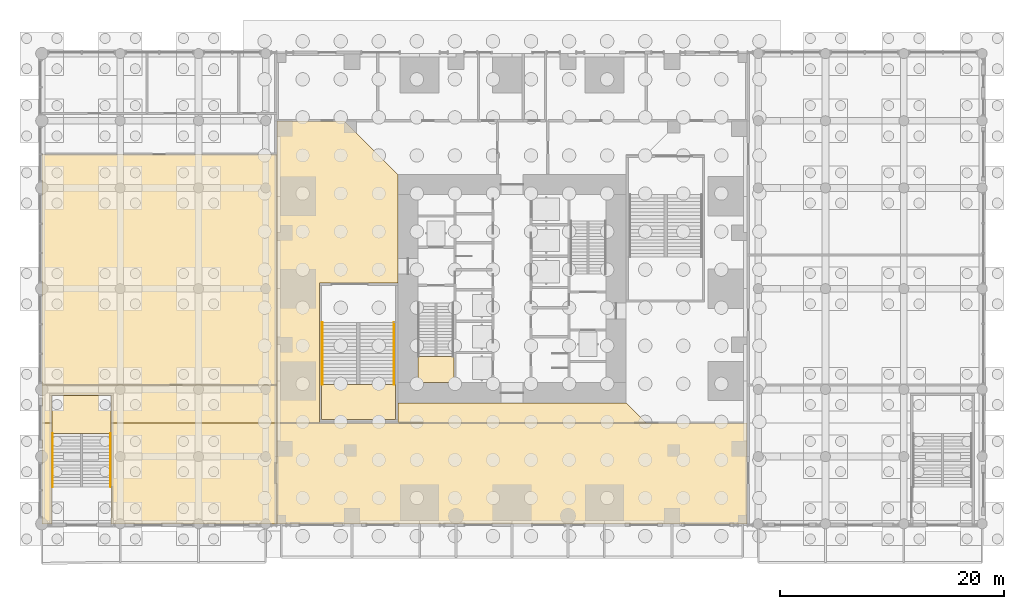
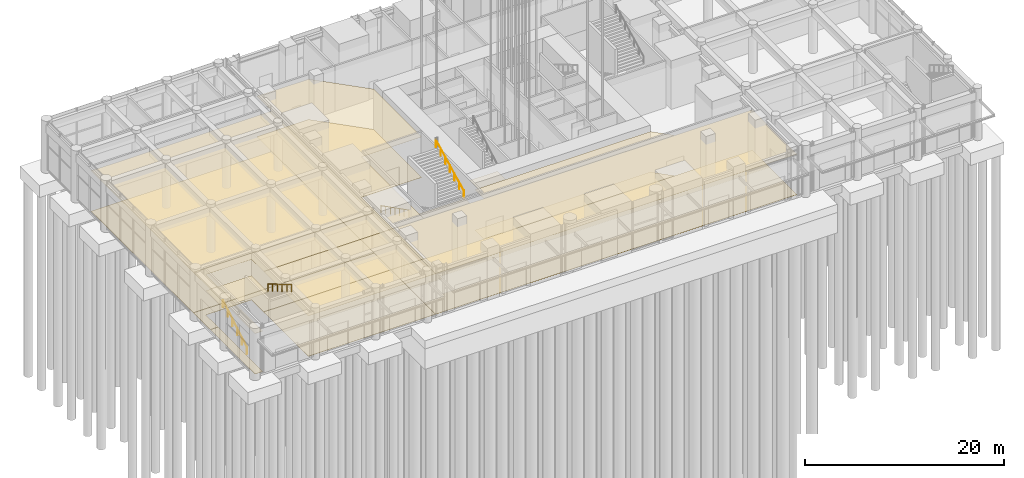
# One storey, part 43 of 46: 17 coverings, 4 railings.
"""IFC4 building model written with IfcOpenShell, lengths in metres."""

from ifc_helpers import new_model, si_unit, direction, frame, origin, origin_2d, place, context, subcontext, project, spatial, polyline, circle, outline, extrude, material, layer, layer_set, type_object, element, save


model = new_model("IFC4")

# Units and contexts
model_context = context("Model", 3, precision=1e-05, world=origin(), true_north=direction((0.0, 1.0)))
body_context = subcontext(model_context, "Body", "Model", "MODEL_VIEW")
ifc_project = project(units=[si_unit("LENGTHUNIT", "METRE"), si_unit("AREAUNIT", "SQUARE_METRE"), si_unit("VOLUMEUNIT", "CUBIC_METRE"), si_unit("PLANEANGLEUNIT", "RADIAN"), si_unit("MASSUNIT", "GRAM", prefix="KILO")], contexts=[model_context])

# Site, building, storey
site_placement = place(None, origin())
site = spatial("IfcSite", under=ifc_project, at=site_placement, CompositionType="ELEMENT")
building_placement = place(site_placement, origin())
building = spatial("IfcBuilding", under=site, at=building_placement, Name="Svetlomir Tower", CompositionType="ELEMENT")
storey_placement = place(building_placement, origin())
storey = spatial("IfcBuildingStorey", under=building, at=storey_placement, Name="L00", CompositionType="ELEMENT", Elevation=0.0)

# Railings
ifc_material_1 = material(Name="Stainless steel", Category="steel")
railing_type = type_object("IfcRailingType", Name="HANDRAIL HR1 900", PredefinedType="HANDRAIL", material=ifc_material_1)
railing_1_placement = place(storey_placement, frame((4.050048828125, 18.0, 0.157958984375)))
element("IfcRailing", 1, at=railing_1_placement, inside=storey, type_object=railing_type, Name="Handrail P1 flight 1 L00", PredefinedType="HANDRAIL", context=body_context, shape_type="SweptSolid", body=[
    extrude(circle(Radius=0.02392578125, at=origin_2d()), frame((0.0, 0.0, 0.8759765625), z_axis=(0.0, -0.891080849075, 0.453844599408), x_axis=(1.0, 0.0, 0.0)), (0.0, 0.0, 1.0), 6.26220703125),
    extrude(circle(Radius=0.02099609375, at=origin_2d()), origin(), (0.0, 0.0, 1.0), 0.851806640625),
    extrude(circle(Radius=0.02099609375, at=origin_2d()), frame((0.0, -0.929931640625, 0.4736328125)), (0.0, 0.0, 1.0), 0.851806640625),
    extrude(circle(Radius=0.02099609375, at=origin_2d()), frame((0.0, -1.860107421875, 0.947265625)), (0.0, 0.0, 1.0), 0.851806640625),
    extrude(circle(Radius=0.02099609375, at=origin_2d()), frame((0.0, -2.7900390625, 1.4208984375)), (0.0, 0.0, 1.0), 0.851806640625),
    extrude(circle(Radius=0.02099609375, at=origin_2d()), frame((0.0, -3.719970703125, 1.894775390625)), (0.0, 0.0, 1.0), 0.851806640625),
    extrude(circle(Radius=0.02099609375, at=origin_2d()), frame((0.0, -4.650146484375, 2.368408203125)), (0.0, 0.0, 1.0), 0.851806640625),
    extrude(circle(Radius=0.02099609375, at=origin_2d()), frame((0.0, -5.580078125, 2.842041015625)), (0.0, 0.0, 1.0), 0.851806640625),
])
railing_2_placement = place(storey_placement, frame((10.449951171875, 12.419921875, 3.157958984375)))
element("IfcRailing", 2, at=railing_2_placement, inside=storey, type_object=railing_type, Name="Handrail P1 flight 2 L00", PredefinedType="HANDRAIL", context=body_context, shape_type="SweptSolid", body=[
    extrude(circle(Radius=0.02392578125, at=origin_2d()), frame((0.0, 0.0, 0.8759765625), z_axis=(0.0, 0.891080849075, 0.453844599408), x_axis=(-1.0, 0.0, 0.0)), (0.0, 0.0, 1.0), 6.26220703125),
    extrude(circle(Radius=0.02099609375, at=origin_2d()), origin(), (0.0, 0.0, 1.0), 0.851806640625),
    extrude(circle(Radius=0.02099609375, at=origin_2d()), frame((0.0, 0.929931640625, 0.4736328125)), (0.0, 0.0, 1.0), 0.851806640625),
    extrude(circle(Radius=0.02099609375, at=origin_2d()), frame((0.0, 1.860107421875, 0.947265625)), (0.0, 0.0, 1.0), 0.851806640625),
    extrude(circle(Radius=0.02099609375, at=origin_2d()), frame((0.0, 2.7900390625, 1.4208984375)), (0.0, 0.0, 1.0), 0.851806640625),
    extrude(circle(Radius=0.02099609375, at=origin_2d()), frame((0.0, 3.719970703125, 1.894775390625)), (0.0, 0.0, 1.0), 0.851806640625),
    extrude(circle(Radius=0.02099609375, at=origin_2d()), frame((0.0, 4.650146484375, 2.368408203125)), (0.0, 0.0, 1.0), 0.851806640625),
    extrude(circle(Radius=0.02099609375, at=origin_2d()), frame((0.0, 5.580078125, 2.842041015625)), (0.0, 0.0, 1.0), 0.851806640625),
])
railing_3_placement = place(storey_placement, frame((-20.050048828125, 3.300048828125, 0.166748046875)))
element("IfcRailing", 3, at=railing_3_placement, inside=storey, type_object=railing_type, Name="Handrail P3 flight 1 L00", PredefinedType="HANDRAIL", context=body_context, shape_type="SweptSolid", body=[
    extrude(circle(Radius=0.02392578125, at=origin_2d()), frame((0.0, 0.0, 0.8759765625), z_axis=(0.0, 0.859299802514, 0.511472237174), x_axis=(-1.0, 0.0, 0.0)), (0.0, 0.0, 1.0), 5.539306640625),
    extrude(circle(Radius=0.02099609375, at=origin_2d()), origin(), (0.0, 0.0, 1.0), 0.851806640625),
    extrude(circle(Radius=0.02099609375, at=origin_2d()), frame((0.0, 0.951904296875, 0.566650390625)), (0.0, 0.0, 1.0), 0.851806640625),
    extrude(circle(Radius=0.02099609375, at=origin_2d()), frame((0.0, 1.904052734375, 1.13330078125)), (0.0, 0.0, 1.0), 0.851806640625),
    extrude(circle(Radius=0.02099609375, at=origin_2d()), frame((0.0, 2.85595703125, 1.699951171875)), (0.0, 0.0, 1.0), 0.851806640625),
    extrude(circle(Radius=0.02099609375, at=origin_2d()), frame((0.0, 3.80810546875, 2.2666015625)), (0.0, 0.0, 1.0), 0.851806640625),
    extrude(circle(Radius=0.02099609375, at=origin_2d()), frame((0.0, 4.760009765625, 2.833251953125)), (0.0, 0.0, 1.0), 0.851806640625),
])
railing_4_placement = place(storey_placement, frame((-14.85009765625, 8.06005859375, 3.166748046875)))
element("IfcRailing", 4, at=railing_4_placement, inside=storey, type_object=railing_type, Name="Handrail P3 flight 2 L00", PredefinedType="HANDRAIL", context=body_context, shape_type="SweptSolid", body=[
    extrude(circle(Radius=0.02392578125, at=origin_2d()), frame((0.0, 0.0, 0.8759765625), z_axis=(0.0, -0.859299802514, 0.511472237174), x_axis=(1.0, 0.0, 0.0)), (0.0, 0.0, 1.0), 5.539306640625),
    extrude(circle(Radius=0.02099609375, at=origin_2d()), origin(), (0.0, 0.0, 1.0), 0.851806640625),
    extrude(circle(Radius=0.02099609375, at=origin_2d()), frame((0.0, -0.951904296875, 0.566650390625)), (0.0, 0.0, 1.0), 0.851806640625),
    extrude(circle(Radius=0.02099609375, at=origin_2d()), frame((0.0, -1.904052734375, 1.13330078125)), (0.0, 0.0, 1.0), 0.851806640625),
    extrude(circle(Radius=0.02099609375, at=origin_2d()), frame((0.0, -2.85595703125, 1.699951171875)), (0.0, 0.0, 1.0), 0.851806640625),
    extrude(circle(Radius=0.02099609375, at=origin_2d()), frame((0.0, -3.80810546875, 2.2666015625)), (0.0, 0.0, 1.0), 0.851806640625),
    extrude(circle(Radius=0.02099609375, at=origin_2d()), frame((0.0, -4.760009765625, 2.833251953125)), (0.0, 0.0, 1.0), 0.851806640625),
])

# Coverings
ifc_material_2 = material(Name="Gypsum plasterboard ceiling", Category="gypsum")
ifc_layer_1 = layer(ifc_material_2, 0.014892578125)
ifc_layer_set_1 = layer_set([ifc_layer_1], Name="Gypsum plasterboard ceiling")
covering_type_1 = type_object("IfcCoveringType", Name="PLASTERBOARD CEILING 15", PredefinedType="CEILING", material=ifc_layer_set_1)
covering_1_placement = place(storey_placement, frame((0.0, 0.0, 4.985107421875)))
element("IfcCovering", 5, at=covering_1_placement, inside=storey, type_object=covering_type_1, Name="Ceiling L00-13", PredefinedType="CEILING", context=body_context, shape_type="SweptSolid", body=[
    extrude(outline(polyline([(-21.0, 12.39990234375), (0.0, 12.39990234375), (0.0, 33.0), (-21.0, 33.0), (-21.0, 12.39990234375)])), origin(), (0.0, 0.0, 1.0), 0.014892578125),
])
covering_2_placement = place(storey_placement, frame((0.0, 0.0, 4.985107421875)))
element("IfcCovering", 6, at=covering_2_placement, inside=storey, type_object=covering_type_1, Name="Ceiling L00-31", PredefinedType="CEILING", context=body_context, shape_type="SweptSolid", body=[
    extrude(outline(polyline([(-21.0, 9.0), (-20.10009765625, 9.0), (-20.10009765625, 0.0), (-21.0, 0.0), (-21.0, 9.0)])), origin(), (0.0, 0.0, 1.0), 0.014892578125),
])
covering_3_placement = place(storey_placement, frame((0.0, 0.0, 4.985107421875)))
element("IfcCovering", 7, at=covering_3_placement, inside=storey, type_object=covering_type_1, Name="Ceiling L00-32", PredefinedType="CEILING", context=body_context, shape_type="SweptSolid", body=[
    extrude(outline(polyline([(0.0, 9.0), (42.0, 9.0), (42.0, 0.0), (0.0, 0.0), (0.0, 9.0)])), origin(), (0.0, 0.0, 1.0), 0.014892578125),
])
covering_4_placement = place(storey_placement, frame((0.0, 0.0, 4.985107421875)))
element("IfcCovering", 8, at=covering_4_placement, inside=storey, type_object=covering_type_1, Name="Ceiling L00-34", PredefinedType="CEILING", context=body_context, shape_type="SweptSolid", body=[
    extrude(outline(polyline([(0.0, 0.0), (-14.800048828125, 0.0), (-14.800048828125, 9.0), (0.0, 9.0), (0.0, 0.0)])), origin(), (0.0, 0.0, 1.0), 0.014892578125),
])
covering_5_placement = place(storey_placement, frame((0.0, 0.0, 4.985107421875)))
element("IfcCovering", 9, at=covering_5_placement, inside=storey, type_object=covering_type_1, Name="Ceiling L00-36", PredefinedType="CEILING", context=body_context, shape_type="SweptSolid", body=[
    extrude(outline(polyline([(-21.0, 12.39990234375), (0.0, 12.39990234375), (0.0, 9.0), (-14.800048828125, 9.0), (-14.800048828125, 11.449951171875), (-20.10009765625, 11.449951171875), (-20.10009765625, 9.0), (-21.0, 9.0), (-21.0, 12.39990234375)])), origin(), (0.0, 0.0, 1.0), 0.014892578125),
])
covering_6_placement = place(storey_placement, frame((0.0, 0.0, 4.985107421875)))
element("IfcCovering", 10, at=covering_6_placement, inside=storey, type_object=covering_type_1, Name="Ceiling L00-38", PredefinedType="CEILING", context=body_context, shape_type="SweptSolid", body=[
    extrude(outline(polyline([(0.0, 36.0), (6.0, 36.0), (10.800048828125, 31.199951171875), (10.800048828125, 21.5), (3.800048828125, 21.5), (3.800048828125, 9.0), (0.0, 9.0), (0.0, 36.0)])), origin(), (0.0, 0.0, 1.0), 0.014892578125),
])
covering_7_placement = place(storey_placement, frame((0.0, 0.0, 4.985107421875)))
element("IfcCovering", 11, at=covering_7_placement, inside=storey, type_object=covering_type_1, Name="Ceiling L00-39", PredefinedType="CEILING", context=body_context, shape_type="SweptSolid", body=[
    extrude(outline(polyline([(31.199951171875, 10.800048828125), (33.0, 9.0), (10.800048828125, 9.0), (10.800048828125, 10.800048828125), (31.199951171875, 10.800048828125)])), origin(), (0.0, 0.0, 1.0), 0.014892578125),
])
ifc_material_3 = material(Name="Studded rubber floor finish", Category="rubber")
ifc_layer_2 = layer(ifc_material_3, 0.006103515625)
ifc_layer_set_2 = layer_set([ifc_layer_2], Name="Studded rubber floor finish")
covering_type_2 = type_object("IfcCoveringType", Name="RUBBER LANDING FINISH 6", PredefinedType="FLOORING", material=ifc_layer_set_2)
covering_8_placement = place(storey_placement, frame((0.0, 0.0, 3.0)))
element("IfcCovering", 12, at=covering_8_placement, inside=storey, type_object=covering_type_2, Name="Stair S1 landing finish L00", PredefinedType="FLOORING", context=body_context, shape_type="SweptSolid", body=[
    extrude(outline(polyline([(12.60009765625, 12.60009765625), (15.800048828125, 12.60009765625), (15.800048828125, 14.93994140625), (12.60009765625, 14.93994140625), (12.60009765625, 12.60009765625)])), origin(), (0.0, 0.0, 1.0), 0.006103515625),
])
covering_9_placement = place(storey_placement, frame((0.0, 0.0, 3.0)))
element("IfcCovering", 13, at=covering_9_placement, inside=storey, type_object=covering_type_2, Name="Stair P1 landing finish L00", PredefinedType="FLOORING", context=body_context, shape_type="SweptSolid", body=[
    extrude(outline(polyline([(4.0, 9.300048828125), (10.60009765625, 9.300048828125), (10.60009765625, 12.419921875), (4.0, 12.419921875), (4.0, 9.300048828125)])), origin(), (0.0, 0.0, 1.0), 0.006103515625),
])
covering_10_placement = place(storey_placement, frame((0.0, 0.0, 3.0)))
element("IfcCovering", 14, at=covering_10_placement, inside=storey, type_object=covering_type_2, Name="Stair P3 landing finish L00", PredefinedType="FLOORING", context=body_context, shape_type="SweptSolid", body=[
    extrude(outline(polyline([(-20.10009765625, 8.06005859375), (-14.800048828125, 8.06005859375), (-14.800048828125, 11.449951171875), (-20.10009765625, 11.449951171875), (-20.10009765625, 8.06005859375)])), origin(), (0.0, 0.0, 1.0), 0.006103515625),
])
ifc_material_4 = material(Name="Bronze-aggregate terrazzo", Category="stone")
ifc_layer_3 = layer(ifc_material_4, 0.030029296875)
ifc_layer_set_3 = layer_set([ifc_layer_3], Name="Bronze-aggregate terrazzo")
covering_type_3 = type_object("IfcCoveringType", Name="TERRAZZO FLOOR 30", PredefinedType="FLOORING", material=ifc_layer_set_3)
covering_11_placement = place(storey_placement, origin())
element("IfcCovering", 15, at=covering_11_placement, inside=storey, type_object=covering_type_3, Name="Floor finish L00-13", PredefinedType="FLOORING", context=body_context, shape_type="SweptSolid", body=[
    extrude(outline(polyline([(-21.0, 12.39990234375), (0.0, 12.39990234375), (0.0, 33.0), (-21.0, 33.0), (-21.0, 12.39990234375)])), origin(), (0.0, 0.0, 1.0), 0.030029296875),
])
covering_12_placement = place(storey_placement, origin())
element("IfcCovering", 16, at=covering_12_placement, inside=storey, type_object=covering_type_3, Name="Floor finish L00-31", PredefinedType="FLOORING", context=body_context, shape_type="SweptSolid", body=[
    extrude(outline(polyline([(-21.0, 9.0), (-20.10009765625, 9.0), (-20.10009765625, 0.0), (-21.0, 0.0), (-21.0, 9.0)])), origin(), (0.0, 0.0, 1.0), 0.030029296875),
])
covering_13_placement = place(storey_placement, origin())
element("IfcCovering", 17, at=covering_13_placement, inside=storey, type_object=covering_type_3, Name="Floor finish L00-32", PredefinedType="FLOORING", context=body_context, shape_type="SweptSolid", body=[
    extrude(outline(polyline([(0.0, 9.0), (42.0, 9.0), (42.0, 0.0), (0.0, 0.0), (0.0, 9.0)])), origin(), (0.0, 0.0, 1.0), 0.030029296875),
])
covering_14_placement = place(storey_placement, origin())
element("IfcCovering", 18, at=covering_14_placement, inside=storey, type_object=covering_type_3, Name="Floor finish L00-34", PredefinedType="FLOORING", context=body_context, shape_type="SweptSolid", body=[
    extrude(outline(polyline([(0.0, 0.0), (-14.800048828125, 0.0), (-14.800048828125, 9.0), (0.0, 9.0), (0.0, 0.0)])), origin(), (0.0, 0.0, 1.0), 0.030029296875),
])
covering_15_placement = place(storey_placement, origin())
element("IfcCovering", 19, at=covering_15_placement, inside=storey, type_object=covering_type_3, Name="Floor finish L00-36", PredefinedType="FLOORING", context=body_context, shape_type="SweptSolid", body=[
    extrude(outline(polyline([(-21.0, 12.39990234375), (0.0, 12.39990234375), (0.0, 9.0), (-14.800048828125, 9.0), (-14.800048828125, 11.449951171875), (-20.10009765625, 11.449951171875), (-20.10009765625, 9.0), (-21.0, 9.0), (-21.0, 12.39990234375)])), origin(), (0.0, 0.0, 1.0), 0.030029296875),
])
covering_16_placement = place(storey_placement, origin())
element("IfcCovering", 20, at=covering_16_placement, inside=storey, type_object=covering_type_3, Name="Floor finish L00-38", PredefinedType="FLOORING", context=body_context, shape_type="SweptSolid", body=[
    extrude(outline(polyline([(0.0, 36.0), (6.0, 36.0), (10.800048828125, 31.199951171875), (10.800048828125, 21.5), (3.800048828125, 21.5), (3.800048828125, 9.0), (0.0, 9.0), (0.0, 36.0)])), origin(), (0.0, 0.0, 1.0), 0.030029296875),
])
covering_17_placement = place(storey_placement, origin())
element("IfcCovering", 21, at=covering_17_placement, inside=storey, type_object=covering_type_3, Name="Floor finish L00-39", PredefinedType="FLOORING", context=body_context, shape_type="SweptSolid", body=[
    extrude(outline(polyline([(31.199951171875, 10.800048828125), (33.0, 9.0), (10.800048828125, 9.0), (10.800048828125, 10.800048828125), (31.199951171875, 10.800048828125)])), origin(), (0.0, 0.0, 1.0), 0.030029296875),
])

save(model, "model.ifc")
